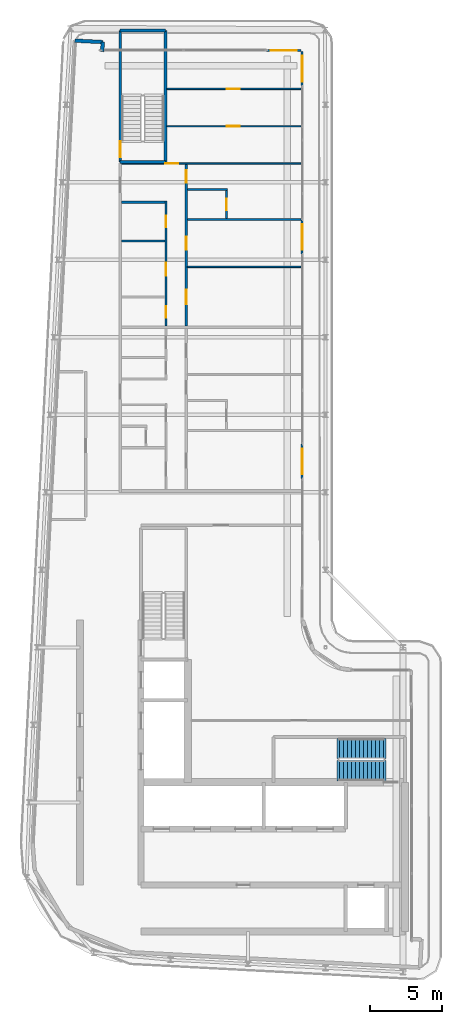
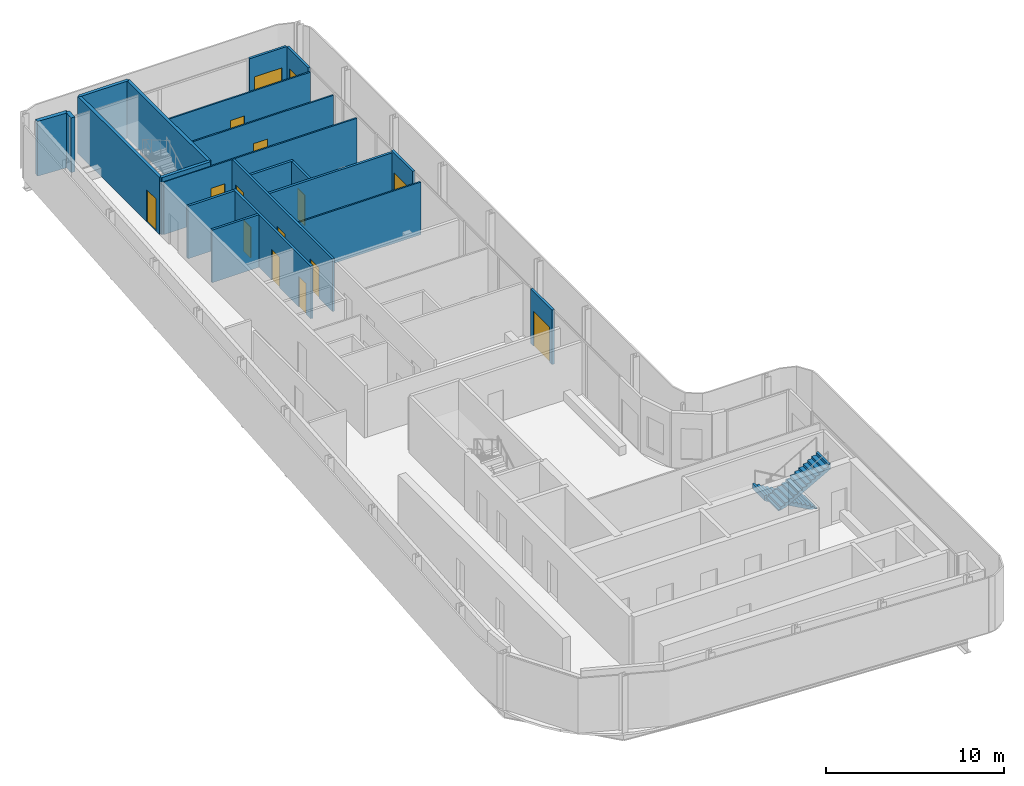
# One storey, part 11 of 17: 21 walls, 15 doors, 2 stair flights, 15 openings, 1 element without a shape of its own.
"""IFC4 building model written with IfcOpenShell, lengths in metres."""

import ifcopenshell
import ifcopenshell.guid

model = None  # the IFC model being written
_history = None  # IfcOwnerHistory: only IFC2X3 demands one
_inside = {}  # id of a spatial element -> (the spatial element, [elements in it])
_under = {}  # id of a project, library or spatial element -> (it, [spatial elements below it])
_declared = {}  # id of a project -> (the project, [libraries it declares])
_typed = {}  # id of a type object -> (the type object, [elements of that type])
_made_of = {}  # id of a material, layer set ... -> (it, [elements and type objects made of it])


def new_model(schema):
    """Start an empty IFC model of exactly this schema.

    Asked for "IFC4X3", IfcOpenShell would pick the latest addendum, in which some entities
    have other attributes; the version numbers below select the first issue.
    IFC2X3 requires an IfcOwnerHistory on every rooted entity: one is made here for all.
    """
    global model, _history
    if schema == "IFC4X3":
        model = ifcopenshell.file(schema_version=(4, 3, 0, 0))
    else:
        model = ifcopenshell.file(schema=schema)
    _inside.clear()
    _under.clear()
    _declared.clear()
    _typed.clear()
    _made_of.clear()
    _history = None
    if model.schema == "IFC2X3":
        org = make("IfcOrganization", Name="unknown")
        user = make(
            "IfcPersonAndOrganization",
            ThePerson=make("IfcPerson", FamilyName="unknown"),
            TheOrganization=org,
        )
        app = make(
            "IfcApplication",
            ApplicationDeveloper=org,
            Version="unknown",
            ApplicationFullName="unknown",
            ApplicationIdentifier="unknown",
        )
        _history = make(
            "IfcOwnerHistory",
            OwningUser=user,
            OwningApplication=app,
            ChangeAction="ADDED",
            CreationDate=0,
        )
    return model


def make(cls, **values):
    """One entity of the class cls with the attributes given. An attribute that is None is left unset."""
    return model.create_entity(
        cls, **{name: value for name, value in values.items() if value is not None}
    )


def rooted(cls, **values):
    """An entity with a GlobalId (a new one), such as an element, a storey or a relation."""
    return make(cls, GlobalId=ifcopenshell.guid.new(), OwnerHistory=_history, **values)


def si_unit(unit_type, name, prefix=None):
    """IfcSIUnit, for example si_unit("LENGTHUNIT", "METRE", prefix="MILLI")."""
    return make("IfcSIUnit", UnitType=unit_type, Prefix=prefix, Name=name)


def assignment(units):
    """IfcUnitAssignment: the units of a project."""
    return None if units is None else make("IfcUnitAssignment", Units=units)


def point(xyz):
    """IfcCartesianPoint."""
    return None if xyz is None else make("IfcCartesianPoint", Coordinates=xyz)


def direction(xyz):
    """IfcDirection."""
    return None if xyz is None else make("IfcDirection", DirectionRatios=xyz)


def frame(location, z_axis=None, x_axis=None):
    """IfcAxis2Placement3D, a coordinate frame: its origin and axes. An axis left out is left unset."""
    return make(
        "IfcAxis2Placement3D",
        Location=point(location),
        Axis=direction(z_axis),
        RefDirection=direction(x_axis),
    )


def frame_2d(location, x_axis=None):
    """IfcAxis2Placement2D, a coordinate frame in the plane: its origin and x axis."""
    return make(
        "IfcAxis2Placement2D", Location=point(location), RefDirection=direction(x_axis)
    )


def origin():
    """The frame at (0, 0, 0) with its axes left unset."""
    return frame((0.0, 0.0, 0.0))


def place(relative_to, where):
    """IfcLocalPlacement: puts the frame where relative to a parent placement (None: the world)."""
    return make(
        "IfcLocalPlacement", PlacementRelTo=relative_to, RelativePlacement=where
    )


def context(
    kind, dimensions, precision=None, world=None, true_north=None, identifier=None
):
    """IfcGeometricRepresentationContext, for example the 3D "Model" context."""
    return make(
        "IfcGeometricRepresentationContext",
        ContextIdentifier=identifier,
        ContextType=kind,
        CoordinateSpaceDimension=dimensions,
        Precision=precision,
        WorldCoordinateSystem=world,
        TrueNorth=true_north,
    )


def subcontext(parent, identifier, kind, view, scale=None):
    """IfcGeometricRepresentationSubContext, for example "Body" below "Model"."""
    return make(
        "IfcGeometricRepresentationSubContext",
        ContextIdentifier=identifier,
        ContextType=kind,
        ParentContext=parent,
        TargetScale=scale,
        TargetView=view,
    )


def project(units=None, contexts=None):
    """IfcProject with its units and contexts."""
    return rooted(
        "IfcProject",
        Name="project",
        RepresentationContexts=contexts,
        UnitsInContext=assignment(units),
    )


def spatial(cls, under=None, at=None, **own):
    """A site, building, storey or space (cls), placed at a placement, below another one or the project."""
    s = rooted(cls, ObjectPlacement=at, **own)
    if under is not None:
        _under.setdefault(under.id(), (under, []))[1].append(s)
    return s


def polyline(points):
    """IfcPolyline through the points."""
    return make("IfcPolyline", Points=[point(p) for p in points])


def profile(cls, at=None, kind="AREA", **sizes):
    """A parametric profile (cls). Its sizes go by their IFC names, for example OverallWidth=200.0."""
    return make(cls, ProfileType=kind, Position=at, **sizes)


def rectangle(**sizes):
    """IfcRectangleProfileDef."""
    return profile("IfcRectangleProfileDef", **sizes)


def outline(outer, holes=None, kind="AREA"):
    """IfcArbitraryClosedProfileDef: a profile drawn as a closed curve; with holes, ...WithVoids."""
    if holes is None:
        return make("IfcArbitraryClosedProfileDef", ProfileType=kind, OuterCurve=outer)
    return make(
        "IfcArbitraryProfileDefWithVoids",
        ProfileType=kind,
        OuterCurve=outer,
        InnerCurves=holes,
    )


def extrude(swept, where, along, depth):
    """IfcExtrudedAreaSolid: the profile swept, set in the frame where, extruded along a direction by depth."""
    return make(
        "IfcExtrudedAreaSolid",
        SweptArea=swept,
        Position=where,
        ExtrudedDirection=direction(along),
        Depth=depth,
    )


def shape(context_of_items, identifier, shape_type, items):
    """IfcShapeRepresentation: the items that make up one representation, for example the "Body"."""
    return make(
        "IfcShapeRepresentation",
        ContextOfItems=context_of_items,
        RepresentationIdentifier=identifier,
        RepresentationType=shape_type,
        Items=items,
    )


def source(mapping_origin, context_of_items, identifier, shape_type, items):
    """IfcRepresentationMap: a shape defined once, which mapped items show again and again."""
    return make(
        "IfcRepresentationMap",
        MappingOrigin=mapping_origin,
        MappedRepresentation=shape(context_of_items, identifier, shape_type, items),
    )


def transform(
    local_origin,
    x_axis=None,
    y_axis=None,
    z_axis=None,
    scale=None,
    scale2=None,
    scale3=None,
    uniform=True,
):
    """IfcCartesianTransformationOperator3D, or its non-uniform kind. x_axis, y_axis, z_axis: its Axis1, 2, 3."""
    if uniform:
        return make(
            "IfcCartesianTransformationOperator3D",
            Axis1=direction(x_axis),
            Axis2=direction(y_axis),
            LocalOrigin=point(local_origin),
            Scale=scale,
            Axis3=direction(z_axis),
        )
    return make(
        "IfcCartesianTransformationOperator3DnonUniform",
        Axis1=direction(x_axis),
        Axis2=direction(y_axis),
        LocalOrigin=point(local_origin),
        Scale=scale,
        Axis3=direction(z_axis),
        Scale2=scale2,
        Scale3=scale3,
    )


def mapped(mapping_source, mapping_target):
    """IfcMappedItem: shows the shape of a source again, moved by a transform."""
    return make(
        "IfcMappedItem", MappingSource=mapping_source, MappingTarget=mapping_target
    )


def material(Name=None, Category=None):
    """IfcMaterial."""
    return make("IfcMaterial", Name=Name, Category=Category)


def layer(
    of_material, thickness, ventilated=None, Name=None, Category=None, Priority=None
):
    """IfcMaterialLayer: one layer of a wall or slab, of a material (None: an air gap)."""
    return make(
        "IfcMaterialLayer",
        Material=of_material,
        LayerThickness=thickness,
        IsVentilated=ventilated,
        Name=Name,
        Category=Category,
        Priority=Priority,
    )


def layer_set(layers, Name=None):
    """IfcMaterialLayerSet."""
    return make("IfcMaterialLayerSet", MaterialLayers=layers, LayerSetName=Name)


def made_of(thing, what):
    """Note that an element or type object is made of a material, layer set ...; save() writes the relation."""
    if what is not None:
        _made_of.setdefault(what.id(), (what, []))[1].append(thing)
    return thing


def type_object(cls, material=None, **own):
    """A type object (cls), such as IfcWallType, which elements share."""
    return made_of(rooted(cls, **own), material)


def element(
    cls,
    number,
    at=None,
    inside=None,
    cuts=None,
    type_object=None,
    material=None,
    context=None,
    identifier="Body",
    shape_type=None,
    held_by="IfcProductDefinitionShape",
    body=None,
    shapes=None,
    **own,
):
    """One element of the class cls, such as IfcWall. Its Tag is "e" and its number.

    at: its placement. inside: the storey or other place that contains it. cuts: it is an
    opening in that element (IfcRelVoidsElement). A single representation is given by context,
    identifier, shape_type and body (its items); several are given by shapes. held_by: the class
    of the entity that holds the representations. save() writes the other relations.
    """
    e = rooted(cls, Tag="e%d" % number, ObjectPlacement=at, **own)
    if body is not None:
        shapes = [shape(context, identifier, shape_type, body)]
    if shapes is not None:
        e.Representation = make(held_by, Representations=shapes)
    if inside is not None:
        _inside.setdefault(inside.id(), (inside, []))[1].append(e)
    if cuts is not None:
        rooted(
            "IfcRelVoidsElement", RelatingBuildingElement=cuts, RelatedOpeningElement=e
        )
    if type_object is not None:
        _typed.setdefault(type_object.id(), (type_object, []))[1].append(e)
    return made_of(e, material)


def fill(opening, filler):
    """IfcRelFillsElement: the door or window that sits in an opening."""
    return rooted(
        "IfcRelFillsElement",
        RelatingOpeningElement=opening,
        RelatedBuildingElement=filler,
    )


def aggregate(whole, parts):
    """IfcRelAggregates: a whole, such as a stair, and the parts it consists of."""
    return rooted("IfcRelAggregates", RelatingObject=whole, RelatedObjects=parts)


def save(model, path):
    """Write the relations noted so far, then the file.

    IfcRelAggregates (storeys below a building ...), IfcRelContainedInSpatialStructure (elements
    in a storey), IfcRelDefinesByType, IfcRelAssociatesMaterial and IfcRelDeclares: one each for
    every whole, place, type object, material and project.
    """
    for whole, parts in _under.values():
        aggregate(whole, parts)
    for where, things in _inside.values():
        rooted(
            "IfcRelContainedInSpatialStructure",
            RelatedElements=things,
            RelatingStructure=where,
        )
    for kind, things in _typed.values():
        rooted("IfcRelDefinesByType", RelatedObjects=things, RelatingType=kind)
    for what, things in _made_of.values():
        rooted("IfcRelAssociatesMaterial", RelatedObjects=things, RelatingMaterial=what)
    for by, libraries in _declared.values():
        rooted("IfcRelDeclares", RelatingContext=by, RelatedDefinitions=libraries)
    model.write(path)


model = new_model("IFC4")

# Units and contexts
model_context = context("Model", 3, precision=1e-05, world=origin(), true_north=direction((0.0, 1.0)))
body_context = subcontext(model_context, "Body", "Model", "MODEL_VIEW")
ifc_project = project(units=[si_unit("LENGTHUNIT", "METRE"), si_unit("AREAUNIT", "SQUARE_METRE"), si_unit("VOLUMEUNIT", "CUBIC_METRE"), si_unit("PLANEANGLEUNIT", "RADIAN"), si_unit("MASSUNIT", "GRAM", prefix="KILO")], contexts=[model_context])

# Site, building, storey
site_placement = place(None, origin())
site = spatial("IfcSite", under=ifc_project, at=site_placement, CompositionType="ELEMENT")
building_placement = place(site_placement, origin())
building = spatial("IfcBuilding", under=site, at=building_placement, Name="Kheshtan School and Residences Tower", CompositionType="ELEMENT")
storey_placement = place(building_placement, frame((0.0, 0.0, 346.10009765625)))
storey = spatial("IfcBuildingStorey", under=building, at=storey_placement, Name="L81", CompositionType="ELEMENT", Elevation=346.10009765625)

# Walls
ifc_material_1 = material(Name="Concrete C40/50 with ceramic cladding and mineral wool insulation", Category="concrete")
ifc_layer_1 = layer(ifc_material_1, 0.25)
ifc_layer_set_1 = layer_set([ifc_layer_1], Name="External wall 250 ceramic clad")
wall_type_1 = type_object("IfcWallType", Name="External wall 250 ceramic clad", PredefinedType="SOLIDWALL", material=ifc_layer_set_1)
wall_1_placement = place(storey_placement, frame((30.136962890625, 87.864013671875, 0.0), z_axis=(0.0, 0.0, 1.0), x_axis=(0.998577785791, -0.053314216913, 0.0)))
element("IfcWall", 1, at=wall_1_placement, inside=storey, type_object=wall_type_1, Name="External wall L81 1", PredefinedType="SOLIDWALL", context=body_context, shape_type="SweptSolid", body=[
    extrude(rectangle(XDim=1.95068359375, YDim=0.25, at=frame_2d((0.975341796875, 0.0))), origin(), (0.0, 0.0, 1.0), 3.75),
])
wall_2_placement = place(storey_placement, frame((32.0849609375, 87.760009765625, 0.0), z_axis=(0.0, 0.0, 1.0), x_axis=(-0.053729014033, -0.998555553312, 0.0)))
element("IfcWall", 2, at=wall_2_placement, inside=storey, type_object=wall_type_1, Name="External wall L81 2", PredefinedType="SOLIDWALL", context=body_context, shape_type="SweptSolid", body=[
    extrude(rectangle(XDim=0.66796875, YDim=0.25, at=frame_2d((0.333984375, 0.0))), origin(), (0.0, 0.0, 1.0), 3.75),
])

# Wall, opening, door
ifc_material_2 = material(Name="Aluminium frame wall with insulated infill", Category="aluminium")
ifc_layer_2 = layer(ifc_material_2, 0.14990234375)
ifc_layer_set_2 = layer_set([ifc_layer_2], Name="Glazing frame wall 150")
wall_type_2 = type_object("IfcWallType", Name="Glazing frame wall 150", PredefinedType="SOLIDWALL", material=ifc_layer_set_2)
wall_3_placement = place(storey_placement, frame((43.5, 87.175048828125, 0.0), z_axis=(0.0, 0.0, 1.0), x_axis=(1.0, 0.0, 0.0)))
wall_3 = element("IfcWall", 3, at=wall_3_placement, inside=storey, type_object=wall_type_2, Name="Balcony door wall L81 3.1", PredefinedType="SOLIDWALL", context=body_context, shape_type="SweptSolid", body=[
    extrude(rectangle(XDim=2.39990234375, YDim=0.14990234375, at=frame_2d((1.199951171875, 0.0))), origin(), (0.0, 0.0, 1.0), 3.75),
])
opening_1_placement = place(wall_3_placement, frame((0.300048828125, 0.0, 0.0)))
opening_1 = element("IfcOpeningElement", 4, at=opening_1_placement, cuts=wall_3, Name="Opening BD", PredefinedType="OPENING", context=body_context, shape_type="SweptSolid", body=[
    extrude(rectangle(XDim=1.800048828125, YDim=2.39990234375, at=frame_2d((0.89990234375, 1.199951171875))), frame((0.0, 0.0849609375, 0.0), z_axis=(0.0, -1.0, 0.0), x_axis=(1.0, 0.0, 0.0)), (0.0, 0.0, 1.0), 0.169921875),
])
ifc_material_3 = material(Name="Clear low-e glass in thermally broken aluminium frame", Category="aluminium")
door_type_1 = type_object("IfcDoorType", Name="Balcony sliding door", OperationType="SLIDING_TO_LEFT", PredefinedType="DOOR", material=ifc_material_3)
shared_shape_1 = source(origin(), body_context, "Body", "SweptSolid", [
    extrude(rectangle(XDim=1.800048828125, YDim=2.39990234375, at=frame_2d((0.89990234375, 1.199951171875))), frame((0.0, 0.02490234375, 0.0), z_axis=(0.0, -1.0, 0.0), x_axis=(1.0, 0.0, 0.0)), (0.0, 0.0, 1.0), 0.050048828125),
])
door_1_placement = place(opening_1_placement, origin())
door_1 = element("IfcDoor", 5, at=door_1_placement, inside=storey, type_object=door_type_1, Name="Balcony door L81 3.1", OperationType="SLIDING_TO_LEFT", OverallHeight=2.39990234375, OverallWidth=1.800048828125, PredefinedType="DOOR", context=body_context, shape_type="MappedRepresentation", body=[
    mapped(shared_shape_1, transform((0.0, 0.0, 0.0), x_axis=(1.0, 0.0, 0.0), y_axis=(0.0, 1.0, 0.0), z_axis=(0.0, 0.0, 1.0), scale=1.0)),
])
fill(opening_1, door_1)

wall_4_placement = place(storey_placement, frame((45.97509765625, 87.10009765625, 0.0), z_axis=(0.0, 0.0, 1.0), x_axis=(0.0, -1.0, 0.0)))
wall_4 = element("IfcWall", 6, at=wall_4_placement, inside=storey, type_object=wall_type_2, Name="Balcony door wall L81 4.1", PredefinedType="SOLIDWALL", context=body_context, shape_type="SweptSolid", body=[
    extrude(rectangle(XDim=2.400146484375, YDim=0.14990234375, at=frame_2d((1.2001953125, 0.0))), origin(), (0.0, 0.0, 1.0), 3.75),
])
opening_2_placement = place(wall_4_placement, frame((0.300048828125, 0.0, 0.0)))
opening_2 = element("IfcOpeningElement", 7, at=opening_2_placement, cuts=wall_4, Name="Opening BD", PredefinedType="OPENING", context=body_context, shape_type="SweptSolid", body=[
    extrude(rectangle(XDim=1.800048828125, YDim=2.39990234375, at=frame_2d((0.89990234375, 1.199951171875))), frame((0.0, 0.0849609375, 0.0), z_axis=(0.0, -1.0, 0.0), x_axis=(1.0, 0.0, 0.0)), (0.0, 0.0, 1.0), 0.169921875),
])
door_2_placement = place(opening_2_placement, origin())
door_2 = element("IfcDoor", 8, at=door_2_placement, inside=storey, type_object=door_type_1, Name="Balcony door L81 4.1", OperationType="SLIDING_TO_LEFT", OverallHeight=2.39990234375, OverallWidth=1.800048828125, PredefinedType="DOOR", context=body_context, shape_type="MappedRepresentation", body=[
    mapped(shared_shape_1, transform((0.0, 0.0, 0.0), x_axis=(1.0, 0.0, 0.0), y_axis=(0.0, 1.0, 0.0), z_axis=(0.0, 0.0, 1.0), scale=1.0)),
])
fill(opening_2, door_2)

wall_5_placement = place(storey_placement, frame((45.97509765625, 75.382080078125, 0.0), z_axis=(0.0, 0.0, 1.0), x_axis=(0.0, -1.0, 0.0)))
wall_5 = element("IfcWall", 9, at=wall_5_placement, inside=storey, type_object=wall_type_2, Name="Balcony door wall L81 4.2", PredefinedType="SOLIDWALL", context=body_context, shape_type="SweptSolid", body=[
    extrude(rectangle(XDim=2.400146484375, YDim=0.14990234375, at=frame_2d((1.2001953125, 0.0))), origin(), (0.0, 0.0, 1.0), 3.75),
])
opening_3_placement = place(wall_5_placement, frame((0.300048828125, 0.0, 0.0)))
opening_3 = element("IfcOpeningElement", 10, at=opening_3_placement, cuts=wall_5, Name="Opening BD", PredefinedType="OPENING", context=body_context, shape_type="SweptSolid", body=[
    extrude(rectangle(XDim=1.800048828125, YDim=2.39990234375, at=frame_2d((0.89990234375, 1.199951171875))), frame((0.0, 0.0849609375, 0.0), z_axis=(0.0, -1.0, 0.0), x_axis=(1.0, 0.0, 0.0)), (0.0, 0.0, 1.0), 0.169921875),
])
door_3_placement = place(opening_3_placement, origin())
door_3 = element("IfcDoor", 11, at=door_3_placement, inside=storey, type_object=door_type_1, Name="Balcony door L81 4.2", OperationType="SLIDING_TO_LEFT", OverallHeight=2.39990234375, OverallWidth=1.800048828125, PredefinedType="DOOR", context=body_context, shape_type="MappedRepresentation", body=[
    mapped(shared_shape_1, transform((0.0, 0.0, 0.0), x_axis=(1.0, 0.0, 0.0), y_axis=(0.0, 1.0, 0.0), z_axis=(0.0, 0.0, 1.0), scale=1.0)),
])
fill(opening_3, door_3)

wall_6_placement = place(storey_placement, frame((45.97509765625, 59.748046875, 0.0), z_axis=(0.0, 0.0, 1.0), x_axis=(0.0, -1.0, 0.0)))
wall_6 = element("IfcWall", 12, at=wall_6_placement, inside=storey, type_object=wall_type_2, Name="Balcony door wall L81 4.3", PredefinedType="SOLIDWALL", context=body_context, shape_type="SweptSolid", body=[
    extrude(rectangle(XDim=2.401123046875, YDim=0.14990234375, at=frame_2d((1.20068359375, 0.0))), origin(), (0.0, 0.0, 1.0), 3.75),
])
opening_4_placement = place(wall_6_placement, frame((0.300048828125, 0.0, 0.0)))
opening_4 = element("IfcOpeningElement", 13, at=opening_4_placement, cuts=wall_6, Name="Opening BD", PredefinedType="OPENING", context=body_context, shape_type="SweptSolid", body=[
    extrude(rectangle(XDim=1.800048828125, YDim=2.39990234375, at=frame_2d((0.89990234375, 1.199951171875))), frame((0.0, 0.0849609375, 0.0), z_axis=(0.0, -1.0, 0.0), x_axis=(1.0, 0.0, 0.0)), (0.0, 0.0, 1.0), 0.169921875),
])
door_4_placement = place(opening_4_placement, origin())
door_4 = element("IfcDoor", 14, at=door_4_placement, inside=storey, type_object=door_type_1, Name="Balcony door L81 4.3", OperationType="SLIDING_TO_LEFT", OverallHeight=2.39990234375, OverallWidth=1.800048828125, PredefinedType="DOOR", context=body_context, shape_type="MappedRepresentation", body=[
    mapped(shared_shape_1, transform((0.0, 0.0, 0.0), x_axis=(1.0, 0.0, 0.0), y_axis=(0.0, 1.0, 0.0), z_axis=(0.0, 0.0, 1.0), scale=1.0)),
])
fill(opening_4, door_4)

ifc_material_4 = material(Name="Gypsum board on steel studs", Category="steel")
ifc_layer_3 = layer(ifc_material_4, 0.10009765625)
ifc_layer_set_3 = layer_set([ifc_layer_3], Name="Gypsum partition 100")
wall_type_3 = type_object("IfcWallType", Name="Gypsum partition 100", PredefinedType="PARTITIONING", material=ifc_layer_set_3)
wall_7_placement = place(storey_placement, frame((33.39990234375, 79.300048828125, 0.0), z_axis=(0.0, 0.0, 1.0), x_axis=(1.0, 0.0, 0.0)))
wall_7 = element("IfcWall", 15, at=wall_7_placement, inside=storey, type_object=wall_type_3, Name="Partition L81-012", PredefinedType="PARTITIONING", context=body_context, shape_type="SweptSolid", body=[
    extrude(rectangle(XDim=12.5, YDim=0.10009765625, at=frame_2d((6.25, 0.0))), origin(), (0.0, 0.0, 1.0), 3.599853515625),
])
opening_5_placement = place(wall_7_placement, frame((3.052978515625, 0.0, 0.0)))
opening_5 = element("IfcOpeningElement", 16, at=opening_5_placement, cuts=wall_7, Name="Opening D81-019", PredefinedType="OPENING", context=body_context, shape_type="SweptSolid", body=[
    extrude(rectangle(XDim=0.89990234375, YDim=2.10009765625, at=frame_2d((0.449951171875, 1.050048828125))), frame((0.0, 0.06005859375, 0.0), z_axis=(0.0, -1.0, 0.0), x_axis=(1.0, 0.0, 0.0)), (0.0, 0.0, 1.0), 0.1201171875),
])
ifc_material_5 = material(Name="Veneered timber door leaf", Category="wood")
door_type_2 = type_object("IfcDoorType", Name="Door 900 x 2100", OperationType="SINGLE_SWING_LEFT", PredefinedType="DOOR", material=ifc_material_5)
shared_shape_2 = source(origin(), body_context, "Body", "SweptSolid", [
    extrude(rectangle(XDim=0.89990234375, YDim=2.10009765625, at=frame_2d((0.449951171875, 1.050048828125))), frame((0.0, 0.02490234375, 0.0), z_axis=(0.0, -1.0, 0.0), x_axis=(1.0, 0.0, 0.0)), (0.0, 0.0, 1.0), 0.050048828125),
])
door_5_placement = place(opening_5_placement, origin())
door_5 = element("IfcDoor", 17, at=door_5_placement, inside=storey, type_object=door_type_2, Name="Door D81-019", OperationType="SINGLE_SWING_LEFT", OverallHeight=2.10009765625, OverallWidth=0.89990234375, PredefinedType="DOOR", context=body_context, shape_type="MappedRepresentation", body=[
    mapped(shared_shape_2, transform((0.0, 0.0, 0.0), x_axis=(1.0, 0.0, 0.0), y_axis=(0.0, 1.0, 0.0), z_axis=(0.0, 0.0, 1.0), scale=1.0)),
])
fill(opening_5, door_5)

wall_8_placement = place(storey_placement, frame((36.549072265625, 81.89990234375, 0.0), z_axis=(0.0, 0.0, 1.0), x_axis=(1.0, 0.0, 0.0)))
wall_8 = element("IfcWall", 18, at=wall_8_placement, inside=storey, type_object=wall_type_3, Name="Partition L81-018", PredefinedType="PARTITIONING", context=body_context, shape_type="SweptSolid", body=[
    extrude(rectangle(XDim=9.350830078125, YDim=0.10009765625, at=frame_2d((4.67529296875, 0.0))), origin(), (0.0, 0.0, 1.0), 3.599853515625),
])
opening_6_placement = place(wall_8_placement, frame((4.176025390625, 0.0, 0.0)))
opening_6 = element("IfcOpeningElement", 19, at=opening_6_placement, cuts=wall_8, Name="Opening D81-020", PredefinedType="OPENING", context=body_context, shape_type="SweptSolid", body=[
    extrude(rectangle(XDim=0.89990234375, YDim=2.10009765625, at=frame_2d((0.449951171875, 1.050048828125))), frame((0.0, 0.06005859375, 0.0), z_axis=(0.0, -1.0, 0.0), x_axis=(1.0, 0.0, 0.0)), (0.0, 0.0, 1.0), 0.1201171875),
])
door_6_placement = place(opening_6_placement, origin())
door_6 = element("IfcDoor", 20, at=door_6_placement, inside=storey, type_object=door_type_2, Name="Door D81-020", OperationType="SINGLE_SWING_RIGHT", OverallHeight=2.10009765625, OverallWidth=0.89990234375, PredefinedType="DOOR", context=body_context, shape_type="MappedRepresentation", body=[
    mapped(shared_shape_2, transform((0.0, 0.0, 0.0), x_axis=(1.0, 0.0, 0.0), y_axis=(0.0, 1.0, 0.0), z_axis=(0.0, 0.0, 1.0), scale=1.0)),
])
fill(opening_6, door_6)

wall_9_placement = place(storey_placement, frame((36.549072265625, 84.5, 0.0), z_axis=(0.0, 0.0, 1.0), x_axis=(1.0, 0.0, 0.0)))
wall_9 = element("IfcWall", 21, at=wall_9_placement, inside=storey, type_object=wall_type_3, Name="Partition L81-019", PredefinedType="PARTITIONING", context=body_context, shape_type="SweptSolid", body=[
    extrude(rectangle(XDim=9.350830078125, YDim=0.10009765625, at=frame_2d((4.67529296875, 0.0))), origin(), (0.0, 0.0, 1.0), 3.599853515625),
])
opening_7_placement = place(wall_9_placement, frame((4.176025390625, 0.0, 0.0)))
opening_7 = element("IfcOpeningElement", 22, at=opening_7_placement, cuts=wall_9, Name="Opening D81-021", PredefinedType="OPENING", context=body_context, shape_type="SweptSolid", body=[
    extrude(rectangle(XDim=0.89990234375, YDim=2.10009765625, at=frame_2d((0.449951171875, 1.050048828125))), frame((0.0, 0.06005859375, 0.0), z_axis=(0.0, -1.0, 0.0), x_axis=(1.0, 0.0, 0.0)), (0.0, 0.0, 1.0), 0.1201171875),
])
door_7_placement = place(opening_7_placement, origin())
door_7 = element("IfcDoor", 23, at=door_7_placement, inside=storey, type_object=door_type_2, Name="Door D81-021", OperationType="SINGLE_SWING_RIGHT", OverallHeight=2.10009765625, OverallWidth=0.89990234375, PredefinedType="DOOR", context=body_context, shape_type="MappedRepresentation", body=[
    mapped(shared_shape_2, transform((0.0, 0.0, 0.0), x_axis=(1.0, 0.0, 0.0), y_axis=(0.0, 1.0, 0.0), z_axis=(0.0, 0.0, 1.0), scale=1.0)),
])
fill(opening_7, door_7)

# Walls
wall_10_placement = place(storey_placement, frame((37.97509765625, 72.10009765625, 0.0), z_axis=(0.0, 0.0, 1.0), x_axis=(1.0, 0.0, 0.0)))
element("IfcWall", 24, at=wall_10_placement, inside=storey, type_object=wall_type_3, Name="Partition L81-025", PredefinedType="PARTITIONING", context=body_context, shape_type="SweptSolid", body=[
    extrude(rectangle(XDim=7.9248046875, YDim=0.10009765625, at=frame_2d((3.96240234375, 0.0))), origin(), (0.0, 0.0, 1.0), 3.599853515625),
])
ifc_material_6 = material(Name="Concrete C40/50", Category="concrete")
ifc_layer_4 = layer(ifc_material_6, 0.199951171875)
ifc_layer_set_4 = layer_set([ifc_layer_4], Name="Stair enclosure wall 200 Concrete C40/50")
wall_type_4 = type_object("IfcWallType", Name="Stair enclosure wall 200 Concrete C40/50", PredefinedType="SHEAR", material=ifc_layer_set_4)
for number, where, z_axis, x_axis, name in (
    (25, (33.300048828125, 79.39990234375, 0.0), (0.0, 0.0, 1.0), (1.0, 0.0, 0.0), "Stair enclosure wall ST3"),
    (26, (33.300048828125, 88.56005859375, 0.0), (0.0, 0.0, 1.0), (1.0, 0.0, 0.0), "Stair enclosure wall ST3"),
):
    element("IfcWall", number, at=place(storey_placement, frame(where, z_axis=z_axis, x_axis=x_axis)), inside=storey, type_object=wall_type_4, Name=name, PredefinedType="SHEAR", context=body_context, shape_type="SweptSolid", body=[
        extrude(rectangle(XDim=3.14990234375, YDim=0.199951171875, at=frame_2d((1.574951171875, 0.0))), origin(), (0.0, 0.0, 1.0), 3.89990234375),
    ])

# Wall, opening, door
wall_11_placement = place(storey_placement, frame((33.300048828125, 79.39990234375, 0.0), z_axis=(0.0, 0.0, 1.0), x_axis=(0.0, 1.0, 0.0)))
wall_11 = element("IfcWall", 27, at=wall_11_placement, inside=storey, type_object=wall_type_4, Name="Stair enclosure wall ST3", PredefinedType="SHEAR", context=body_context, shape_type="SweptSolid", body=[
    extrude(rectangle(XDim=9.16015625, YDim=0.199951171875, at=frame_2d((4.580078125, 0.0))), origin(), (0.0, 0.0, 1.0), 3.89990234375),
])
opening_8_placement = place(wall_11_placement, frame((0.35009765625, 0.0, 0.0)))
opening_8 = element("IfcOpeningElement", 28, at=opening_8_placement, cuts=wall_11, Name="Opening ST3D", PredefinedType="OPENING", context=body_context, shape_type="SweptSolid", body=[
    extrude(rectangle(XDim=1.10009765625, YDim=2.199951171875, at=frame_2d((0.550048828125, 1.10009765625))), frame((0.0, 0.10986328125, 0.0), z_axis=(0.0, -1.0, 0.0), x_axis=(1.0, 0.0, 0.0)), (0.0, 0.0, 1.0), 0.219970703125),
])
ifc_material_7 = material(Name="Steel door leaf, galvanised", Category="steel")
door_type_3 = type_object("IfcDoorType", Name="Stair door 1100 steel 90 min", OperationType="SINGLE_SWING_LEFT", PredefinedType="DOOR", material=ifc_material_7)
shared_shape_3 = source(origin(), body_context, "Body", "SweptSolid", [
    extrude(rectangle(XDim=1.10009765625, YDim=2.199951171875, at=frame_2d((0.550048828125, 1.10009765625))), frame((0.0, 0.02490234375, 0.0), z_axis=(0.0, -1.0, 0.0), x_axis=(1.0, 0.0, 0.0)), (0.0, 0.0, 1.0), 0.050048828125),
])
door_8_placement = place(opening_8_placement, origin())
door_8 = element("IfcDoor", 29, at=door_8_placement, inside=storey, type_object=door_type_3, Name="Stair ST3 door", OperationType="SINGLE_SWING_RIGHT", OverallHeight=2.199951171875, OverallWidth=1.10009765625, PredefinedType="DOOR", context=body_context, shape_type="MappedRepresentation", body=[
    mapped(shared_shape_3, transform((0.0, 0.0, 0.0), x_axis=(1.0, 0.0, 0.0), y_axis=(0.0, 1.0, 0.0), z_axis=(0.0, 0.0, 1.0), scale=1.0)),
])
fill(opening_8, door_8)

# Walls
wall_12_placement = place(storey_placement, frame((36.449951171875, 79.39990234375, 0.0), z_axis=(0.0, 0.0, 1.0), x_axis=(0.0, 1.0, 0.0)))
element("IfcWall", 30, at=wall_12_placement, inside=storey, type_object=wall_type_4, Name="Stair enclosure wall ST3", PredefinedType="SHEAR", context=body_context, shape_type="SweptSolid", body=[
    extrude(rectangle(XDim=9.16015625, YDim=0.199951171875, at=frame_2d((4.580078125, 0.0))), origin(), (0.0, 0.0, 1.0), 3.89990234375),
])
ifc_material_8 = material(Name="Moisture-resistant gypsum board on steel studs", Category="steel")
ifc_layer_5 = layer(ifc_material_8, 0.14990234375)
ifc_layer_set_5 = layer_set([ifc_layer_5], Name="Wet-room partition 150")
wall_type_5 = type_object("IfcWallType", Name="Wet-room partition 150", PredefinedType="PARTITIONING", material=ifc_layer_set_5)
for number, where, z_axis, x_axis, name in (
    (31, (33.39990234375, 73.89990234375, 0.0), (0.0, 0.0, 1.0), (1.0, 0.0, 0.0), "Partition L81-010"),
    (32, (33.39990234375, 76.60009765625, 0.0), (0.0, 0.0, 1.0), (1.0, 0.0, 0.0), "Partition L81-011"),
):
    element("IfcWall", number, at=place(storey_placement, frame(where, z_axis=z_axis, x_axis=x_axis)), inside=storey, type_object=wall_type_5, Name=name, PredefinedType="PARTITIONING", context=body_context, shape_type="SweptSolid", body=[
        extrude(rectangle(XDim=3.025146484375, YDim=0.14990234375, at=frame_2d((1.5126953125, 0.0))), origin(), (0.0, 0.0, 1.0), 3.599853515625),
    ])

# Wall, openings, doors
wall_13_placement = place(storey_placement, frame((36.5, 68.0, 0.0), z_axis=(0.0, 0.0, 1.0), x_axis=(0.0, 1.0, 0.0)))
wall_13 = element("IfcWall", 33, at=wall_13_placement, inside=storey, type_object=wall_type_5, Name="Partition L81-017", PredefinedType="PARTITIONING", context=body_context, shape_type="SweptSolid", body=[
    extrude(rectangle(XDim=8.675048828125, YDim=0.14990234375, at=frame_2d((4.33740234375, 0.0))), origin(), (0.0, 0.0, 1.0), 3.599853515625),
])
opening_9_placement = place(wall_13_placement, frame((6.85009765625, 0.0, 0.0)))
opening_9 = element("IfcOpeningElement", 34, at=opening_9_placement, cuts=wall_13, Name="Opening D81-011", PredefinedType="OPENING", context=body_context, shape_type="SweptSolid", body=[
    extrude(rectangle(XDim=0.800048828125, YDim=2.10009765625, at=frame_2d((0.39990234375, 1.050048828125))), frame((0.0, 0.0849609375, 0.0), z_axis=(0.0, -1.0, 0.0), x_axis=(1.0, 0.0, 0.0)), (0.0, 0.0, 1.0), 0.169921875),
])
opening_10_placement = place(wall_13_placement, frame((3.5, 0.0, 0.0)))
opening_10 = element("IfcOpeningElement", 35, at=opening_10_placement, cuts=wall_13, Name="Opening D81-015", PredefinedType="OPENING", context=body_context, shape_type="SweptSolid", body=[
    extrude(rectangle(XDim=0.89990234375, YDim=2.10009765625, at=frame_2d((0.449951171875, 1.050048828125))), frame((0.0, 0.0849609375, 0.0), z_axis=(0.0, -1.0, 0.0), x_axis=(1.0, 0.0, 0.0)), (0.0, 0.0, 1.0), 0.169921875),
])
opening_11_placement = place(wall_13_placement, frame((0.550048828125, 0.0, 0.0)))
opening_11 = element("IfcOpeningElement", 36, at=opening_11_placement, cuts=wall_13, Name="Opening D81-018", PredefinedType="OPENING", context=body_context, shape_type="SweptSolid", body=[
    extrude(rectangle(XDim=0.800048828125, YDim=2.10009765625, at=frame_2d((0.39990234375, 1.050048828125))), frame((0.0, 0.0849609375, 0.0), z_axis=(0.0, -1.0, 0.0), x_axis=(1.0, 0.0, 0.0)), (0.0, 0.0, 1.0), 0.169921875),
])
door_type_4 = type_object("IfcDoorType", Name="Door 800 x 2100", OperationType="SINGLE_SWING_LEFT", PredefinedType="DOOR", material=ifc_material_5)
shared_shape_4 = source(origin(), body_context, "Body", "SweptSolid", [
    extrude(rectangle(XDim=0.800048828125, YDim=2.10009765625, at=frame_2d((0.39990234375, 1.050048828125))), frame((0.0, 0.02490234375, 0.0), z_axis=(0.0, -1.0, 0.0), x_axis=(1.0, 0.0, 0.0)), (0.0, 0.0, 1.0), 0.050048828125),
])
door_9_placement = place(opening_9_placement, origin())
door_9 = element("IfcDoor", 37, at=door_9_placement, inside=storey, type_object=door_type_4, Name="Door D81-011", OperationType="SINGLE_SWING_RIGHT", OverallHeight=2.10009765625, OverallWidth=0.800048828125, PredefinedType="DOOR", context=body_context, shape_type="MappedRepresentation", body=[
    mapped(shared_shape_4, transform((0.0, 0.0, 0.0), x_axis=(1.0, 0.0, 0.0), y_axis=(0.0, 1.0, 0.0), z_axis=(0.0, 0.0, 1.0), scale=1.0)),
])
fill(opening_9, door_9)
door_10_placement = place(opening_11_placement, origin())
door_10 = element("IfcDoor", 38, at=door_10_placement, inside=storey, type_object=door_type_4, Name="Door D81-018", OperationType="SINGLE_SWING_RIGHT", OverallHeight=2.10009765625, OverallWidth=0.800048828125, PredefinedType="DOOR", context=body_context, shape_type="MappedRepresentation", body=[
    mapped(shared_shape_4, transform((0.0, 0.0, 0.0), x_axis=(1.0, 0.0, 0.0), y_axis=(0.0, 1.0, 0.0), z_axis=(0.0, 0.0, 1.0), scale=1.0)),
])
fill(opening_11, door_10)
door_11_placement = place(opening_10_placement, origin())
door_11 = element("IfcDoor", 39, at=door_11_placement, inside=storey, type_object=door_type_2, Name="Door D81-015", OperationType="SINGLE_SWING_LEFT", OverallHeight=2.10009765625, OverallWidth=0.89990234375, PredefinedType="DOOR", context=body_context, shape_type="MappedRepresentation", body=[
    mapped(shared_shape_2, transform((0.0, 0.0, 0.0), x_axis=(1.0, 0.0, 0.0), y_axis=(0.0, 1.0, 0.0), z_axis=(0.0, 0.0, 1.0), scale=1.0)),
])
fill(opening_10, door_11)

wall_14_placement = place(storey_placement, frame((37.89990234375, 68.0, 0.0), z_axis=(0.0, 0.0, 1.0), x_axis=(0.0, 1.0, 0.0)))
wall_14 = element("IfcWall", 40, at=wall_14_placement, inside=storey, type_object=wall_type_5, Name="Partition L81-021", PredefinedType="PARTITIONING", context=body_context, shape_type="SweptSolid", body=[
    extrude(rectangle(XDim=11.25, YDim=0.14990234375, at=frame_2d((5.625, 0.0))), origin(), (0.0, 0.0, 1.0), 3.599853515625),
])
opening_12_placement = place(wall_14_placement, frame((5.300048828125, 0.0, 0.0)))
opening_12 = element("IfcOpeningElement", 41, at=opening_12_placement, cuts=wall_14, Name="Opening D81-012", PredefinedType="OPENING", context=body_context, shape_type="SweptSolid", body=[
    extrude(rectangle(XDim=0.89990234375, YDim=2.10009765625, at=frame_2d((0.449951171875, 1.050048828125))), frame((0.0, 0.0849609375, 0.0), z_axis=(0.0, -1.0, 0.0), x_axis=(1.0, 0.0, 0.0)), (0.0, 0.0, 1.0), 0.169921875),
])
opening_13_placement = place(wall_14_placement, frame((1.5, 0.0, 0.0)))
opening_13 = element("IfcOpeningElement", 42, at=opening_13_placement, cuts=wall_14, Name="Opening D81-016", PredefinedType="OPENING", context=body_context, shape_type="SweptSolid", body=[
    extrude(rectangle(XDim=1.0, YDim=2.10009765625, at=frame_2d((0.5, 1.050048828125))), frame((0.0, 0.0849609375, 0.0), z_axis=(0.0, -1.0, 0.0), x_axis=(1.0, 0.0, 0.0)), (0.0, 0.0, 1.0), 0.169921875),
])
opening_14_placement = place(wall_14_placement, frame((9.949951171875, 0.0, 0.0)))
opening_14 = element("IfcOpeningElement", 43, at=opening_14_placement, cuts=wall_14, Name="Opening D81-017", PredefinedType="OPENING", context=body_context, shape_type="SweptSolid", body=[
    extrude(rectangle(XDim=0.89990234375, YDim=2.10009765625, at=frame_2d((0.449951171875, 1.050048828125))), frame((0.0, 0.0849609375, 0.0), z_axis=(0.0, -1.0, 0.0), x_axis=(1.0, 0.0, 0.0)), (0.0, 0.0, 1.0), 0.169921875),
])
door_type_5 = type_object("IfcDoorType", Name="Door 1000 x 2100", OperationType="SINGLE_SWING_LEFT", PredefinedType="DOOR", material=ifc_material_5)
shared_shape_5 = source(origin(), body_context, "Body", "SweptSolid", [
    extrude(rectangle(XDim=1.0, YDim=2.10009765625, at=frame_2d((0.5, 1.050048828125))), frame((0.0, 0.02490234375, 0.0), z_axis=(0.0, -1.0, 0.0), x_axis=(1.0, 0.0, 0.0)), (0.0, 0.0, 1.0), 0.050048828125),
])
door_12_placement = place(opening_13_placement, origin())
door_12 = element("IfcDoor", 44, at=door_12_placement, inside=storey, type_object=door_type_5, Name="Door D81-016", OperationType="SINGLE_SWING_LEFT", OverallHeight=2.10009765625, OverallWidth=1.0, PredefinedType="DOOR", context=body_context, shape_type="MappedRepresentation", body=[
    mapped(shared_shape_5, transform((0.0, 0.0, 0.0), x_axis=(1.0, 0.0, 0.0), y_axis=(0.0, 1.0, 0.0), z_axis=(0.0, 0.0, 1.0), scale=1.0)),
])
fill(opening_13, door_12)
door_13_placement = place(opening_12_placement, origin())
door_13 = element("IfcDoor", 45, at=door_13_placement, inside=storey, type_object=door_type_2, Name="Door D81-012", OperationType="SINGLE_SWING_LEFT", OverallHeight=2.10009765625, OverallWidth=0.89990234375, PredefinedType="DOOR", context=body_context, shape_type="MappedRepresentation", body=[
    mapped(shared_shape_2, transform((0.0, 0.0, 0.0), x_axis=(1.0, 0.0, 0.0), y_axis=(0.0, 1.0, 0.0), z_axis=(0.0, 0.0, 1.0), scale=1.0)),
])
fill(opening_12, door_13)
door_14_placement = place(opening_14_placement, origin())
door_14 = element("IfcDoor", 46, at=door_14_placement, inside=storey, type_object=door_type_2, Name="Door D81-017", OperationType="SINGLE_SWING_RIGHT", OverallHeight=2.10009765625, OverallWidth=0.89990234375, PredefinedType="DOOR", context=body_context, shape_type="MappedRepresentation", body=[
    mapped(shared_shape_2, transform((0.0, 0.0, 0.0), x_axis=(1.0, 0.0, 0.0), y_axis=(0.0, 1.0, 0.0), z_axis=(0.0, 0.0, 1.0), scale=1.0)),
])
fill(opening_14, door_14)

# Walls
wall_15_placement = place(storey_placement, frame((37.97509765625, 75.39990234375, 0.0), z_axis=(0.0, 0.0, 1.0), x_axis=(1.0, 0.0, 0.0)))
element("IfcWall", 47, at=wall_15_placement, inside=storey, type_object=wall_type_5, Name="Partition L81-026", PredefinedType="PARTITIONING", context=body_context, shape_type="SweptSolid", body=[
    extrude(rectangle(XDim=7.9248046875, YDim=0.14990234375, at=frame_2d((3.96240234375, 0.0))), origin(), (0.0, 0.0, 1.0), 3.599853515625),
])
wall_16_placement = place(storey_placement, frame((37.97509765625, 77.5, 0.0), z_axis=(0.0, 0.0, 1.0), x_axis=(1.0, 0.0, 0.0)))
element("IfcWall", 48, at=wall_16_placement, inside=storey, type_object=wall_type_5, Name="Partition L81-027", PredefinedType="PARTITIONING", context=body_context, shape_type="SweptSolid", body=[
    extrude(rectangle(XDim=2.7998046875, YDim=0.14990234375, at=frame_2d((1.39990234375, 0.0))), origin(), (0.0, 0.0, 1.0), 3.599853515625),
])

# Wall, opening, door
wall_17_placement = place(storey_placement, frame((40.699951171875, 75.47509765625, 0.0), z_axis=(0.0, 0.0, 1.0), x_axis=(0.0, 1.0, 0.0)))
wall_17 = element("IfcWall", 49, at=wall_17_placement, inside=storey, type_object=wall_type_5, Name="Partition L81-030", PredefinedType="PARTITIONING", context=body_context, shape_type="SweptSolid", body=[
    extrude(rectangle(XDim=1.949951171875, YDim=0.14990234375, at=frame_2d((0.97509765625, 0.0))), origin(), (0.0, 0.0, 1.0), 3.599853515625),
])
opening_15_placement = place(wall_17_placement, frame((0.574951171875, 0.0, 0.0)))
opening_15 = element("IfcOpeningElement", 50, at=opening_15_placement, cuts=wall_17, Name="Opening D81-013", PredefinedType="OPENING", context=body_context, shape_type="SweptSolid", body=[
    extrude(rectangle(XDim=0.800048828125, YDim=2.10009765625, at=frame_2d((0.39990234375, 1.050048828125))), frame((0.0, 0.0849609375, 0.0), z_axis=(0.0, -1.0, 0.0), x_axis=(1.0, 0.0, 0.0)), (0.0, 0.0, 1.0), 0.169921875),
])
door_15_placement = place(opening_15_placement, origin())
door_15 = element("IfcDoor", 51, at=door_15_placement, inside=storey, type_object=door_type_4, Name="Door D81-013", OperationType="SINGLE_SWING_RIGHT", OverallHeight=2.10009765625, OverallWidth=0.800048828125, PredefinedType="DOOR", context=body_context, shape_type="MappedRepresentation", body=[
    mapped(shared_shape_4, transform((0.0, 0.0, 0.0), x_axis=(1.0, 0.0, 0.0), y_axis=(0.0, 1.0, 0.0), z_axis=(0.0, 0.0, 1.0), scale=1.0)),
])
fill(opening_15, door_15)

# Stair, stair flights
stair_type = type_object("IfcStairType", Name="Exit stair, half-turn", PredefinedType="HALF_TURN_STAIR", material=ifc_material_6)
stair_placement = place(storey_placement, origin())
stair = element("IfcStair", 52, at=stair_placement, inside=storey, type_object=stair_type, Name="L81 Protected Exit Stair ST1", PredefinedType="HALF_TURN_STAIR")
ifc_layer_6 = layer(ifc_material_6, 0.14990234375)
ifc_layer_set_6 = layer_set([ifc_layer_6], Name="Stair flight 1400 Concrete C40/50")
stair_flight_type = type_object("IfcStairFlightType", Name="Stair flight 1400 Concrete C40/50", PredefinedType="STRAIGHT", material=ifc_layer_set_6)
stair_flight_1_placement = place(storey_placement, frame((51.64990234375, 38.550048828125, 0.0), z_axis=(0.0, 0.0, 1.0), x_axis=(-1.0, 0.0, 0.0)))
stair_flight_1 = element("IfcStairFlight", 53, at=stair_flight_1_placement, type_object=stair_flight_type, Name="ST1 flight 1", NumberOfRisers=12, NumberOfTreads=11, PredefinedType="STRAIGHT", RiserHeight=0.1625, TreadLength=0.28, context=body_context, shape_type="SweptSolid", body=[
    extrude(outline(polyline([(-0.14990234375, -0.10009765625), (-0.14990234375, 0.0), (0.0, 0.0), (0.0, 0.16259765625), (0.280029296875, 0.16259765625), (0.280029296875, 0.324951171875), (0.56005859375, 0.324951171875), (0.56005859375, 0.487548828125), (0.840087890625, 0.487548828125), (0.840087890625, 0.64990234375), (1.1201171875, 0.64990234375), (1.1201171875, 0.8125), (1.39990234375, 0.8125), (1.39990234375, 0.97509765625), (1.679931640625, 0.97509765625), (1.679931640625, 1.137451171875), (1.9599609375, 1.137451171875), (1.9599609375, 1.300048828125), (2.239990234375, 1.300048828125), (2.239990234375, 1.46240234375), (2.52001953125, 1.46240234375), (2.52001953125, 1.625), (2.800048828125, 1.625), (2.800048828125, 1.78759765625), (3.080078125, 1.78759765625), (3.080078125, 1.949951171875), (3.080078125, 1.969970703125), (3.22998046875, 1.969970703125), (3.22998046875, 1.6142578125), (0.298583984375, 0.0), (-0.14990234375, -0.10009765625)])), frame((0.0, 0.699951171875, 0.0), z_axis=(0.0, -1.0, 0.0), x_axis=(1.0, 0.0, 0.0)), (0.0, 0.0, 1.0), 1.39990234375),
])
stair_flight_2_placement = place(storey_placement, frame((48.570068359375, 37.0, 1.949951171875), z_axis=(0.0, 0.0, 1.0), x_axis=(1.0, 0.0, 0.0)))
stair_flight_2 = element("IfcStairFlight", 54, at=stair_flight_2_placement, type_object=stair_flight_type, Name="ST1 flight 2", NumberOfRisers=12, NumberOfTreads=11, PredefinedType="STRAIGHT", RiserHeight=0.1625, TreadLength=0.28, context=body_context, shape_type="SweptSolid", body=[
    extrude(outline(polyline([(-0.14990234375, -0.10009765625), (-0.14990234375, 0.0), (0.0, 0.0), (0.0, 0.16259765625), (0.280029296875, 0.16259765625), (0.280029296875, 0.324951171875), (0.56005859375, 0.324951171875), (0.56005859375, 0.487548828125), (0.840087890625, 0.487548828125), (0.840087890625, 0.64990234375), (1.1201171875, 0.64990234375), (1.1201171875, 0.8125), (1.39990234375, 0.8125), (1.39990234375, 0.97509765625), (1.679931640625, 0.97509765625), (1.679931640625, 1.137451171875), (1.9599609375, 1.137451171875), (1.9599609375, 1.300048828125), (2.239990234375, 1.300048828125), (2.239990234375, 1.46240234375), (2.52001953125, 1.46240234375), (2.52001953125, 1.625), (2.800048828125, 1.625), (2.800048828125, 1.78759765625), (3.080078125, 1.78759765625), (3.080078125, 1.949951171875), (3.080078125, 1.969970703125), (3.22998046875, 1.969970703125), (3.22998046875, 1.6142578125), (0.298583984375, 0.0), (-0.14990234375, -0.10009765625)])), frame((0.0, 0.699951171875, 0.0), z_axis=(0.0, -1.0, 0.0), x_axis=(1.0, 0.0, 0.0)), (0.0, 0.0, 1.0), 1.39990234375),
])
aggregate(stair, [stair_flight_1, stair_flight_2])

save(model, "model.ifc")
